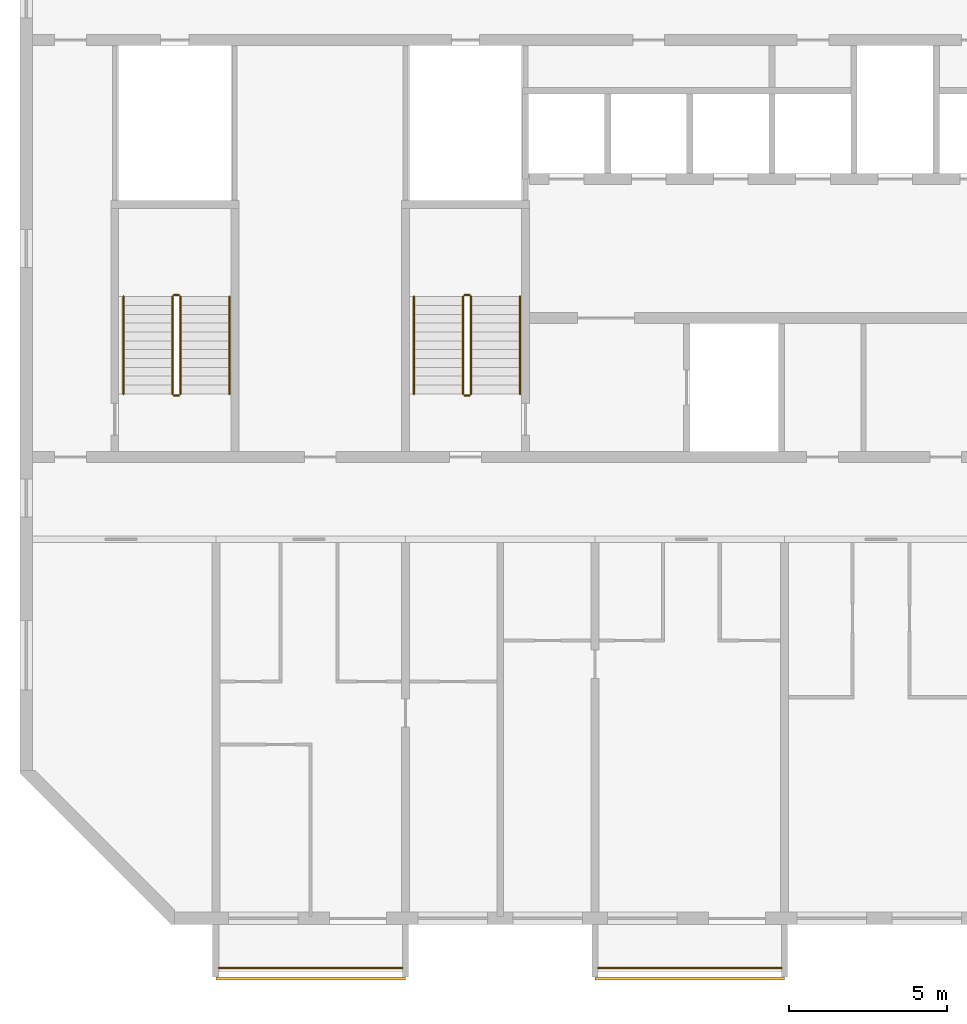
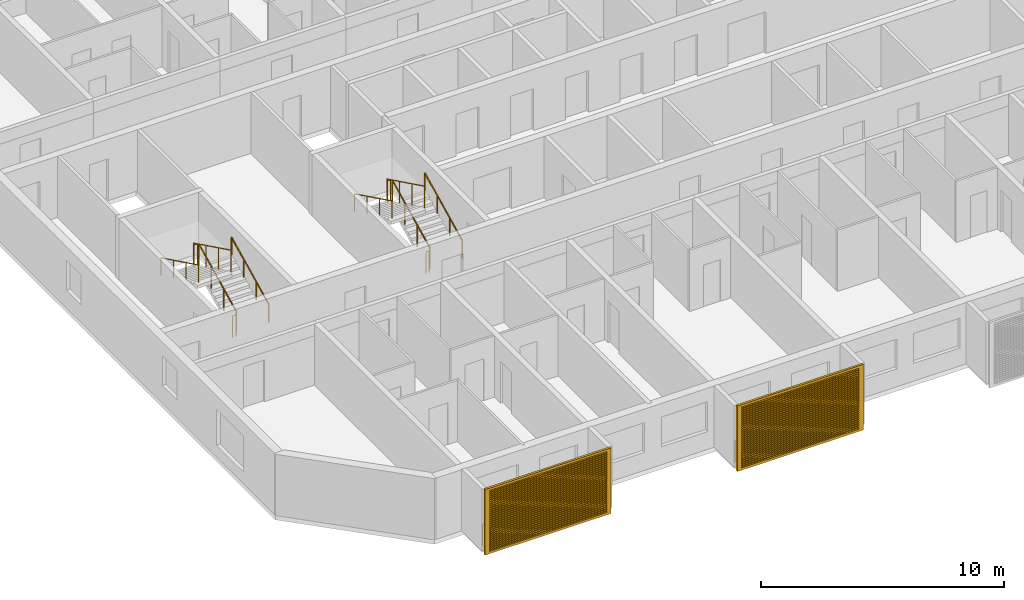
# One storey, part 13 of 27: 14 railings, 2 shading devices.
"""IFC4 building model written with IfcOpenShell, lengths in metres."""

from ifc_helpers import new_model, si_unit, direction, frame, origin, origin_2d, place, context, subcontext, project, spatial, polyline, circle, outline, extrude, source, transform, mapped, material, material_profile, profile_set, type_object, element, save


model = new_model("IFC4")

# Units and contexts
model_context = context("Model", 3, precision=1e-05, world=origin(), true_north=direction((0.0, 1.0)))
body_context = subcontext(model_context, "Body", "Model", "MODEL_VIEW")
ifc_project = project(units=[si_unit("LENGTHUNIT", "METRE"), si_unit("AREAUNIT", "SQUARE_METRE"), si_unit("VOLUMEUNIT", "CUBIC_METRE"), si_unit("PLANEANGLEUNIT", "RADIAN"), si_unit("MASSUNIT", "GRAM", prefix="KILO")], contexts=[model_context])

# Site, building, storey
site_placement = place(None, origin())
site = spatial("IfcSite", under=ifc_project, at=site_placement, CompositionType="ELEMENT")
building_placement = place(site_placement, origin())
building = spatial("IfcBuilding", under=site, at=building_placement, Name="Poui Terraces", CompositionType="ELEMENT")
storey_placement = place(building_placement, frame((0.0, 0.0, 251.10009765625)))
storey = spatial("IfcBuildingStorey", under=building, at=storey_placement, Name="L70", CompositionType="ELEMENT", Elevation=251.10009765625)

# Railings
ifc_material_1 = material(Name="Painted steel fretwork", Category="steel")
railing_type_1 = type_object("IfcRailingType", Name="BALCONY GUARD 1100", PredefinedType="GUARDRAIL", material=ifc_material_1)
for number, where, name in (
    (1, (24.10009765625, -1.570068359375, 0.0), "BALCONY GUARD"),
    (2, (36.10009765625, -1.570068359375, 0.0), "BALCONY GUARD"),
):
    element("IfcRailing", number, at=place(storey_placement, frame(where)), inside=storey, type_object=railing_type_1, Name=name, PredefinedType="GUARDRAIL", context=body_context, shape_type="SweptSolid", body=[
        extrude(circle(Radius=0.02392578125, at=origin_2d()), frame((0.0, 0.0, 1.076171875), z_axis=(1.0, 0.0, 0.0), x_axis=(0.0, 1.0, 0.0)), (0.0, 0.0, 1.0), 5.7998046875),
        extrude(circle(Radius=0.02099609375, at=origin_2d()), origin(), (0.0, 0.0, 1.0), 1.052001953125),
        extrude(circle(Radius=0.02099609375, at=origin_2d()), frame((0.966552734375, 0.0, 0.0)), (0.0, 0.0, 1.0), 1.052001953125),
        extrude(circle(Radius=0.02099609375, at=origin_2d()), frame((1.933349609375, 0.0, 0.0)), (0.0, 0.0, 1.0), 1.052001953125),
        extrude(circle(Radius=0.02099609375, at=origin_2d()), frame((2.89990234375, 0.0, 0.0)), (0.0, 0.0, 1.0), 1.052001953125),
        extrude(circle(Radius=0.02099609375, at=origin_2d()), frame((3.866455078125, 0.0, 0.0)), (0.0, 0.0, 1.0), 1.052001953125),
        extrude(circle(Radius=0.02099609375, at=origin_2d()), frame((4.833251953125, 0.0, 0.0)), (0.0, 0.0, 1.0), 1.052001953125),
        extrude(circle(Radius=0.02099609375, at=origin_2d()), frame((5.7998046875, 0.0, 0.0)), (0.0, 0.0, 1.0), 1.052001953125),
    ])
ifc_material_2 = material(Name="Galvanised steel balustrade", Category="steel")
railing_type_2 = type_object("IfcRailingType", Name="STAIR GUARD 1100", PredefinedType="GUARDRAIL", material=ifc_material_2)
railing_1_placement = place(storey_placement, frame((32.074951171875, 16.60009765625, 0.137451171875)))
element("IfcRailing", 3, at=railing_1_placement, inside=storey, type_object=railing_type_2, Name="L70 ST-CW stair guard 1", PredefinedType="GUARDRAIL", context=body_context, shape_type="SweptSolid", body=[
    extrude(circle(Radius=0.02392578125, at=origin_2d()), frame((0.0, 0.0, 1.076171875), z_axis=(0.0, 0.897606190399, 0.440798283751), x_axis=(-1.0, 0.0, 0.0)), (0.0, 0.0, 1.0), 3.43115234375),
    extrude(circle(Radius=0.02099609375, at=origin_2d()), origin(), (0.0, 0.0, 1.0), 1.052001953125),
    extrude(circle(Radius=0.02099609375, at=origin_2d()), frame((0.0, 1.026611328125, 0.504150390625)), (0.0, 0.0, 1.0), 1.052001953125),
    extrude(circle(Radius=0.02099609375, at=origin_2d()), frame((0.0, 2.05322265625, 1.00830078125)), (0.0, 0.0, 1.0), 1.052001953125),
    extrude(circle(Radius=0.02099609375, at=origin_2d()), frame((0.0, 3.079833984375, 1.512451171875)), (0.0, 0.0, 1.0), 1.052001953125),
])
railing_2_placement = place(storey_placement, frame((32.02490234375, 19.72998046875, 1.64990234375)))
element("IfcRailing", 4, at=railing_2_placement, inside=storey, type_object=railing_type_2, Name="L70 ST-CW stair guard 2", PredefinedType="GUARDRAIL", context=body_context, shape_type="SweptSolid", body=[
    extrude(circle(Radius=0.02392578125, at=origin_2d()), frame((0.0, 0.0, 1.076171875), z_axis=(-1.0, 0.0, 0.0), x_axis=(0.0, -1.0, 0.0)), (0.0, 0.0, 1.0), 0.14990234375),
    extrude(circle(Radius=0.02099609375, at=origin_2d()), origin(), (0.0, 0.0, 1.0), 1.052001953125),
    extrude(circle(Radius=0.02099609375, at=origin_2d()), frame((-0.14990234375, 0.0, 0.0)), (0.0, 0.0, 1.0), 1.052001953125),
])
railing_3_placement = place(storey_placement, frame((31.824951171875, 19.679931640625, 1.787353515625)))
element("IfcRailing", 5, at=railing_3_placement, inside=storey, type_object=railing_type_2, Name="L70 ST-CW stair guard 3", PredefinedType="GUARDRAIL", context=body_context, shape_type="SweptSolid", body=[
    extrude(circle(Radius=0.02392578125, at=origin_2d()), frame((0.0, 0.0, 1.076171875), z_axis=(0.0, -0.897606190399, 0.440798283751), x_axis=(1.0, 0.0, 0.0)), (0.0, 0.0, 1.0), 3.43115234375),
    extrude(circle(Radius=0.02099609375, at=origin_2d()), origin(), (0.0, 0.0, 1.0), 1.052001953125),
    extrude(circle(Radius=0.02099609375, at=origin_2d()), frame((0.0, -1.026611328125, 0.504150390625)), (0.0, 0.0, 1.0), 1.052001953125),
    extrude(circle(Radius=0.02099609375, at=origin_2d()), frame((0.0, -2.05322265625, 1.00830078125)), (0.0, 0.0, 1.0), 1.052001953125),
    extrude(circle(Radius=0.02099609375, at=origin_2d()), frame((0.0, -3.079833984375, 1.512451171875)), (0.0, 0.0, 1.0), 1.052001953125),
])
railing_4_placement = place(storey_placement, frame((32.02490234375, 16.550048828125, 0.0)))
element("IfcRailing", 6, at=railing_4_placement, inside=storey, type_object=railing_type_2, Name="L70 ST-CW stair guard 4", PredefinedType="GUARDRAIL", context=body_context, shape_type="SweptSolid", body=[
    extrude(circle(Radius=0.02392578125, at=origin_2d()), frame((0.0, 0.0, 1.076171875), z_axis=(-1.0, 0.0, 0.0), x_axis=(0.0, -1.0, 0.0)), (0.0, 0.0, 1.0), 0.14990234375),
    extrude(circle(Radius=0.02099609375, at=origin_2d()), origin(), (0.0, 0.0, 1.0), 1.052001953125),
    extrude(circle(Radius=0.02099609375, at=origin_2d()), frame((-0.14990234375, 0.0, 0.0)), (0.0, 0.0, 1.0), 1.052001953125),
])
railing_5_placement = place(storey_placement, frame((22.875, 16.60009765625, 0.137451171875)))
element("IfcRailing", 7, at=railing_5_placement, inside=storey, type_object=railing_type_2, Name="L70 ST-W stair guard 1", PredefinedType="GUARDRAIL", context=body_context, shape_type="SweptSolid", body=[
    extrude(circle(Radius=0.02392578125, at=origin_2d()), frame((0.0, 0.0, 1.076171875), z_axis=(0.0, 0.897606190399, 0.440798283751), x_axis=(-1.0, 0.0, 0.0)), (0.0, 0.0, 1.0), 3.43115234375),
    extrude(circle(Radius=0.02099609375, at=origin_2d()), origin(), (0.0, 0.0, 1.0), 1.052001953125),
    extrude(circle(Radius=0.02099609375, at=origin_2d()), frame((0.0, 1.026611328125, 0.504150390625)), (0.0, 0.0, 1.0), 1.052001953125),
    extrude(circle(Radius=0.02099609375, at=origin_2d()), frame((0.0, 2.05322265625, 1.00830078125)), (0.0, 0.0, 1.0), 1.052001953125),
    extrude(circle(Radius=0.02099609375, at=origin_2d()), frame((0.0, 3.079833984375, 1.512451171875)), (0.0, 0.0, 1.0), 1.052001953125),
])
railing_6_placement = place(storey_placement, frame((22.824951171875, 19.72998046875, 1.64990234375)))
element("IfcRailing", 8, at=railing_6_placement, inside=storey, type_object=railing_type_2, Name="L70 ST-W stair guard 2", PredefinedType="GUARDRAIL", context=body_context, shape_type="SweptSolid", body=[
    extrude(circle(Radius=0.02392578125, at=origin_2d()), frame((0.0, 0.0, 1.076171875), z_axis=(-1.0, 0.0, 0.0), x_axis=(0.0, -1.0, 0.0)), (0.0, 0.0, 1.0), 0.14990234375),
    extrude(circle(Radius=0.02099609375, at=origin_2d()), origin(), (0.0, 0.0, 1.0), 1.052001953125),
    extrude(circle(Radius=0.02099609375, at=origin_2d()), frame((-0.14990234375, 0.0, 0.0)), (0.0, 0.0, 1.0), 1.052001953125),
])
railing_7_placement = place(storey_placement, frame((22.625, 19.679931640625, 1.787353515625)))
element("IfcRailing", 9, at=railing_7_placement, inside=storey, type_object=railing_type_2, Name="L70 ST-W stair guard 3", PredefinedType="GUARDRAIL", context=body_context, shape_type="SweptSolid", body=[
    extrude(circle(Radius=0.02392578125, at=origin_2d()), frame((0.0, 0.0, 1.076171875), z_axis=(0.0, -0.897606190399, 0.440798283751), x_axis=(1.0, 0.0, 0.0)), (0.0, 0.0, 1.0), 3.43115234375),
    extrude(circle(Radius=0.02099609375, at=origin_2d()), origin(), (0.0, 0.0, 1.0), 1.052001953125),
    extrude(circle(Radius=0.02099609375, at=origin_2d()), frame((0.0, -1.026611328125, 0.504150390625)), (0.0, 0.0, 1.0), 1.052001953125),
    extrude(circle(Radius=0.02099609375, at=origin_2d()), frame((0.0, -2.05322265625, 1.00830078125)), (0.0, 0.0, 1.0), 1.052001953125),
    extrude(circle(Radius=0.02099609375, at=origin_2d()), frame((0.0, -3.079833984375, 1.512451171875)), (0.0, 0.0, 1.0), 1.052001953125),
])
railing_8_placement = place(storey_placement, frame((22.824951171875, 16.550048828125, 0.0)))
element("IfcRailing", 10, at=railing_8_placement, inside=storey, type_object=railing_type_2, Name="L70 ST-W stair guard 4", PredefinedType="GUARDRAIL", context=body_context, shape_type="SweptSolid", body=[
    extrude(circle(Radius=0.02392578125, at=origin_2d()), frame((0.0, 0.0, 1.076171875), z_axis=(-1.0, 0.0, 0.0), x_axis=(0.0, -1.0, 0.0)), (0.0, 0.0, 1.0), 0.14990234375),
    extrude(circle(Radius=0.02099609375, at=origin_2d()), origin(), (0.0, 0.0, 1.0), 1.052001953125),
    extrude(circle(Radius=0.02099609375, at=origin_2d()), frame((-0.14990234375, 0.0, 0.0)), (0.0, 0.0, 1.0), 1.052001953125),
])
ifc_material_3 = material(Name="Stainless steel handrail", Category="steel")
railing_type_3 = type_object("IfcRailingType", Name="STAIR HANDRAIL 900", PredefinedType="HANDRAIL", material=ifc_material_3)
railing_9_placement = place(storey_placement, frame((33.625, 16.60009765625, 0.137451171875)))
element("IfcRailing", 11, at=railing_9_placement, inside=storey, type_object=railing_type_3, Name="L70 ST-CW stair handrail 1", PredefinedType="HANDRAIL", context=body_context, shape_type="SweptSolid", body=[
    extrude(circle(Radius=0.02392578125, at=origin_2d()), frame((0.0, 0.0, 0.8759765625), z_axis=(0.0, 0.897606190399, 0.440798283751), x_axis=(-1.0, 0.0, 0.0)), (0.0, 0.0, 1.0), 3.43115234375),
    extrude(circle(Radius=0.02099609375, at=origin_2d()), origin(), (0.0, 0.0, 1.0), 0.851806640625),
    extrude(circle(Radius=0.02099609375, at=origin_2d()), frame((0.0, 1.026611328125, 0.504150390625)), (0.0, 0.0, 1.0), 0.851806640625),
    extrude(circle(Radius=0.02099609375, at=origin_2d()), frame((0.0, 2.05322265625, 1.00830078125)), (0.0, 0.0, 1.0), 0.851806640625),
    extrude(circle(Radius=0.02099609375, at=origin_2d()), frame((0.0, 3.079833984375, 1.512451171875)), (0.0, 0.0, 1.0), 0.851806640625),
])
railing_10_placement = place(storey_placement, frame((30.27490234375, 19.679931640625, 1.787353515625)))
element("IfcRailing", 12, at=railing_10_placement, inside=storey, type_object=railing_type_3, Name="L70 ST-CW stair handrail 2", PredefinedType="HANDRAIL", context=body_context, shape_type="SweptSolid", body=[
    extrude(circle(Radius=0.02392578125, at=origin_2d()), frame((0.0, 0.0, 0.8759765625), z_axis=(0.0, -0.897606190399, 0.440798283751), x_axis=(1.0, 0.0, 0.0)), (0.0, 0.0, 1.0), 3.43115234375),
    extrude(circle(Radius=0.02099609375, at=origin_2d()), origin(), (0.0, 0.0, 1.0), 0.851806640625),
    extrude(circle(Radius=0.02099609375, at=origin_2d()), frame((0.0, -1.026611328125, 0.504150390625)), (0.0, 0.0, 1.0), 0.851806640625),
    extrude(circle(Radius=0.02099609375, at=origin_2d()), frame((0.0, -2.05322265625, 1.00830078125)), (0.0, 0.0, 1.0), 0.851806640625),
    extrude(circle(Radius=0.02099609375, at=origin_2d()), frame((0.0, -3.079833984375, 1.512451171875)), (0.0, 0.0, 1.0), 0.851806640625),
])
railing_11_placement = place(storey_placement, frame((24.425048828125, 16.60009765625, 0.137451171875)))
element("IfcRailing", 13, at=railing_11_placement, inside=storey, type_object=railing_type_3, Name="L70 ST-W stair handrail 1", PredefinedType="HANDRAIL", context=body_context, shape_type="SweptSolid", body=[
    extrude(circle(Radius=0.02392578125, at=origin_2d()), frame((0.0, 0.0, 0.8759765625), z_axis=(0.0, 0.897606190399, 0.440798283751), x_axis=(-1.0, 0.0, 0.0)), (0.0, 0.0, 1.0), 3.43115234375),
    extrude(circle(Radius=0.02099609375, at=origin_2d()), origin(), (0.0, 0.0, 1.0), 0.851806640625),
    extrude(circle(Radius=0.02099609375, at=origin_2d()), frame((0.0, 1.026611328125, 0.504150390625)), (0.0, 0.0, 1.0), 0.851806640625),
    extrude(circle(Radius=0.02099609375, at=origin_2d()), frame((0.0, 2.05322265625, 1.00830078125)), (0.0, 0.0, 1.0), 0.851806640625),
    extrude(circle(Radius=0.02099609375, at=origin_2d()), frame((0.0, 3.079833984375, 1.512451171875)), (0.0, 0.0, 1.0), 0.851806640625),
])
railing_12_placement = place(storey_placement, frame((21.074951171875, 19.679931640625, 1.787353515625)))
element("IfcRailing", 14, at=railing_12_placement, inside=storey, type_object=railing_type_3, Name="L70 ST-W stair handrail 2", PredefinedType="HANDRAIL", context=body_context, shape_type="SweptSolid", body=[
    extrude(circle(Radius=0.02392578125, at=origin_2d()), frame((0.0, 0.0, 0.8759765625), z_axis=(0.0, -0.897606190399, 0.440798283751), x_axis=(1.0, 0.0, 0.0)), (0.0, 0.0, 1.0), 3.43115234375),
    extrude(circle(Radius=0.02099609375, at=origin_2d()), origin(), (0.0, 0.0, 1.0), 0.851806640625),
    extrude(circle(Radius=0.02099609375, at=origin_2d()), frame((0.0, -1.026611328125, 0.504150390625)), (0.0, 0.0, 1.0), 0.851806640625),
    extrude(circle(Radius=0.02099609375, at=origin_2d()), frame((0.0, -2.05322265625, 1.00830078125)), (0.0, 0.0, 1.0), 0.851806640625),
    extrude(circle(Radius=0.02099609375, at=origin_2d()), frame((0.0, -3.079833984375, 1.512451171875)), (0.0, 0.0, 1.0), 0.851806640625),
])

# Shading devices
ifc_material_4 = material(Name="Aluminium louvre", Category="aluminium")
ifc_material_profile = material_profile(ifc_material_4, outline(polyline([(-3.0, -1.64990234375), (3.0, -1.64990234375), (3.0, 1.64990234375), (-3.0, 1.64990234375), (-3.0, -1.64990234375)]), holes=[polyline([(-2.800048828125, -1.530029296875), (2.800048828125, -1.530029296875), (2.800048828125, -1.469970703125), (-2.800048828125, -1.469970703125), (-2.800048828125, -1.530029296875)]), polyline([(-2.800048828125, -1.429931640625), (2.800048828125, -1.429931640625), (2.800048828125, -1.3701171875), (-2.800048828125, -1.3701171875), (-2.800048828125, -1.429931640625)]), polyline([(-2.800048828125, -1.330078125), (2.800048828125, -1.330078125), (2.800048828125, -1.27001953125), (-2.800048828125, -1.27001953125), (-2.800048828125, -1.330078125)]), polyline([(-2.800048828125, -1.22998046875), (2.800048828125, -1.22998046875), (2.800048828125, -1.169921875), (-2.800048828125, -1.169921875), (-2.800048828125, -1.22998046875)]), polyline([(-2.800048828125, -1.1298828125), (2.800048828125, -1.1298828125), (2.800048828125, -1.070068359375), (-2.800048828125, -1.070068359375), (-2.800048828125, -1.1298828125)]), polyline([(-2.800048828125, -1.030029296875), (2.800048828125, -1.030029296875), (2.800048828125, -0.969970703125), (-2.800048828125, -0.969970703125), (-2.800048828125, -1.030029296875)]), polyline([(-2.800048828125, -0.929931640625), (2.800048828125, -0.929931640625), (2.800048828125, -0.8701171875), (-2.800048828125, -0.8701171875), (-2.800048828125, -0.929931640625)]), polyline([(-2.800048828125, -0.830078125), (2.800048828125, -0.830078125), (2.800048828125, -0.77001953125), (-2.800048828125, -0.77001953125), (-2.800048828125, -0.830078125)]), polyline([(-2.800048828125, -0.72998046875), (2.800048828125, -0.72998046875), (2.800048828125, -0.669921875), (-2.800048828125, -0.669921875), (-2.800048828125, -0.72998046875)]), polyline([(-2.800048828125, -0.6298828125), (2.800048828125, -0.6298828125), (2.800048828125, -0.570068359375), (-2.800048828125, -0.570068359375), (-2.800048828125, -0.6298828125)]), polyline([(-2.800048828125, -0.530029296875), (2.800048828125, -0.530029296875), (2.800048828125, -0.469970703125), (-2.800048828125, -0.469970703125), (-2.800048828125, -0.530029296875)]), polyline([(-2.800048828125, -0.429931640625), (2.800048828125, -0.429931640625), (2.800048828125, -0.3701171875), (-2.800048828125, -0.3701171875), (-2.800048828125, -0.429931640625)]), polyline([(-2.800048828125, -0.330078125), (2.800048828125, -0.330078125), (2.800048828125, -0.27001953125), (-2.800048828125, -0.27001953125), (-2.800048828125, -0.330078125)]), polyline([(-2.800048828125, -0.22998046875), (2.800048828125, -0.22998046875), (2.800048828125, -0.169921875), (-2.800048828125, -0.169921875), (-2.800048828125, -0.22998046875)]), polyline([(-2.800048828125, -0.1298828125), (2.800048828125, -0.1298828125), (2.800048828125, -0.070068359375), (-2.800048828125, -0.070068359375), (-2.800048828125, -0.1298828125)]), polyline([(-2.800048828125, -0.030029296875), (2.800048828125, -0.030029296875), (2.800048828125, 0.030029296875), (-2.800048828125, 0.030029296875), (-2.800048828125, -0.030029296875)]), polyline([(-2.800048828125, 0.070068359375), (2.800048828125, 0.070068359375), (2.800048828125, 0.1298828125), (-2.800048828125, 0.1298828125), (-2.800048828125, 0.070068359375)]), polyline([(-2.800048828125, 0.169921875), (2.800048828125, 0.169921875), (2.800048828125, 0.22998046875), (-2.800048828125, 0.22998046875), (-2.800048828125, 0.169921875)]), polyline([(-2.800048828125, 0.27001953125), (2.800048828125, 0.27001953125), (2.800048828125, 0.330078125), (-2.800048828125, 0.330078125), (-2.800048828125, 0.27001953125)]), polyline([(-2.800048828125, 0.3701171875), (2.800048828125, 0.3701171875), (2.800048828125, 0.429931640625), (-2.800048828125, 0.429931640625), (-2.800048828125, 0.3701171875)]), polyline([(-2.800048828125, 0.469970703125), (2.800048828125, 0.469970703125), (2.800048828125, 0.530029296875), (-2.800048828125, 0.530029296875), (-2.800048828125, 0.469970703125)]), polyline([(-2.800048828125, 0.570068359375), (2.800048828125, 0.570068359375), (2.800048828125, 0.6298828125), (-2.800048828125, 0.6298828125), (-2.800048828125, 0.570068359375)]), polyline([(-2.800048828125, 0.669921875), (2.800048828125, 0.669921875), (2.800048828125, 0.72998046875), (-2.800048828125, 0.72998046875), (-2.800048828125, 0.669921875)]), polyline([(-2.800048828125, 0.77001953125), (2.800048828125, 0.77001953125), (2.800048828125, 0.830078125), (-2.800048828125, 0.830078125), (-2.800048828125, 0.77001953125)]), polyline([(-2.800048828125, 0.8701171875), (2.800048828125, 0.8701171875), (2.800048828125, 0.929931640625), (-2.800048828125, 0.929931640625), (-2.800048828125, 0.8701171875)]), polyline([(-2.800048828125, 0.969970703125), (2.800048828125, 0.969970703125), (2.800048828125, 1.030029296875), (-2.800048828125, 1.030029296875), (-2.800048828125, 0.969970703125)]), polyline([(-2.800048828125, 1.070068359375), (2.800048828125, 1.070068359375), (2.800048828125, 1.1298828125), (-2.800048828125, 1.1298828125), (-2.800048828125, 1.070068359375)]), polyline([(-2.800048828125, 1.169921875), (2.800048828125, 1.169921875), (2.800048828125, 1.22998046875), (-2.800048828125, 1.22998046875), (-2.800048828125, 1.169921875)]), polyline([(-2.800048828125, 1.27001953125), (2.800048828125, 1.27001953125), (2.800048828125, 1.330078125), (-2.800048828125, 1.330078125), (-2.800048828125, 1.27001953125)]), polyline([(-2.800048828125, 1.3701171875), (2.800048828125, 1.3701171875), (2.800048828125, 1.429931640625), (-2.800048828125, 1.429931640625), (-2.800048828125, 1.3701171875)]), polyline([(-2.800048828125, 1.469970703125), (2.800048828125, 1.469970703125), (2.800048828125, 1.530029296875), (-2.800048828125, 1.530029296875), (-2.800048828125, 1.469970703125)])]), Name="JALOUSIE LOUVRE SHUTTER 6000X3300")
ifc_profile_set = profile_set([ifc_material_profile], Name="Aluminium louvre")
shading_device_type = type_object("IfcShadingDeviceType", Name="JALOUSIE LOUVRE SHUTTER 6000X3300", PredefinedType="JALOUSIE", material=ifc_profile_set)
shared_shape = source(origin(), body_context, "Body", "SweptSolid", [
    extrude(outline(polyline([(-3.0, -1.64990234375), (3.0, -1.64990234375), (3.0, 1.64990234375), (-3.0, 1.64990234375), (-3.0, -1.64990234375)]), holes=[polyline([(-2.800048828125, -1.530029296875), (2.800048828125, -1.530029296875), (2.800048828125, -1.469970703125), (-2.800048828125, -1.469970703125), (-2.800048828125, -1.530029296875)]), polyline([(-2.800048828125, -1.429931640625), (2.800048828125, -1.429931640625), (2.800048828125, -1.3701171875), (-2.800048828125, -1.3701171875), (-2.800048828125, -1.429931640625)]), polyline([(-2.800048828125, -1.330078125), (2.800048828125, -1.330078125), (2.800048828125, -1.27001953125), (-2.800048828125, -1.27001953125), (-2.800048828125, -1.330078125)]), polyline([(-2.800048828125, -1.22998046875), (2.800048828125, -1.22998046875), (2.800048828125, -1.169921875), (-2.800048828125, -1.169921875), (-2.800048828125, -1.22998046875)]), polyline([(-2.800048828125, -1.1298828125), (2.800048828125, -1.1298828125), (2.800048828125, -1.070068359375), (-2.800048828125, -1.070068359375), (-2.800048828125, -1.1298828125)]), polyline([(-2.800048828125, -1.030029296875), (2.800048828125, -1.030029296875), (2.800048828125, -0.969970703125), (-2.800048828125, -0.969970703125), (-2.800048828125, -1.030029296875)]), polyline([(-2.800048828125, -0.929931640625), (2.800048828125, -0.929931640625), (2.800048828125, -0.8701171875), (-2.800048828125, -0.8701171875), (-2.800048828125, -0.929931640625)]), polyline([(-2.800048828125, -0.830078125), (2.800048828125, -0.830078125), (2.800048828125, -0.77001953125), (-2.800048828125, -0.77001953125), (-2.800048828125, -0.830078125)]), polyline([(-2.800048828125, -0.72998046875), (2.800048828125, -0.72998046875), (2.800048828125, -0.669921875), (-2.800048828125, -0.669921875), (-2.800048828125, -0.72998046875)]), polyline([(-2.800048828125, -0.6298828125), (2.800048828125, -0.6298828125), (2.800048828125, -0.570068359375), (-2.800048828125, -0.570068359375), (-2.800048828125, -0.6298828125)]), polyline([(-2.800048828125, -0.530029296875), (2.800048828125, -0.530029296875), (2.800048828125, -0.469970703125), (-2.800048828125, -0.469970703125), (-2.800048828125, -0.530029296875)]), polyline([(-2.800048828125, -0.429931640625), (2.800048828125, -0.429931640625), (2.800048828125, -0.3701171875), (-2.800048828125, -0.3701171875), (-2.800048828125, -0.429931640625)]), polyline([(-2.800048828125, -0.330078125), (2.800048828125, -0.330078125), (2.800048828125, -0.27001953125), (-2.800048828125, -0.27001953125), (-2.800048828125, -0.330078125)]), polyline([(-2.800048828125, -0.22998046875), (2.800048828125, -0.22998046875), (2.800048828125, -0.169921875), (-2.800048828125, -0.169921875), (-2.800048828125, -0.22998046875)]), polyline([(-2.800048828125, -0.1298828125), (2.800048828125, -0.1298828125), (2.800048828125, -0.070068359375), (-2.800048828125, -0.070068359375), (-2.800048828125, -0.1298828125)]), polyline([(-2.800048828125, -0.030029296875), (2.800048828125, -0.030029296875), (2.800048828125, 0.030029296875), (-2.800048828125, 0.030029296875), (-2.800048828125, -0.030029296875)]), polyline([(-2.800048828125, 0.070068359375), (2.800048828125, 0.070068359375), (2.800048828125, 0.1298828125), (-2.800048828125, 0.1298828125), (-2.800048828125, 0.070068359375)]), polyline([(-2.800048828125, 0.169921875), (2.800048828125, 0.169921875), (2.800048828125, 0.22998046875), (-2.800048828125, 0.22998046875), (-2.800048828125, 0.169921875)]), polyline([(-2.800048828125, 0.27001953125), (2.800048828125, 0.27001953125), (2.800048828125, 0.330078125), (-2.800048828125, 0.330078125), (-2.800048828125, 0.27001953125)]), polyline([(-2.800048828125, 0.3701171875), (2.800048828125, 0.3701171875), (2.800048828125, 0.429931640625), (-2.800048828125, 0.429931640625), (-2.800048828125, 0.3701171875)]), polyline([(-2.800048828125, 0.469970703125), (2.800048828125, 0.469970703125), (2.800048828125, 0.530029296875), (-2.800048828125, 0.530029296875), (-2.800048828125, 0.469970703125)]), polyline([(-2.800048828125, 0.570068359375), (2.800048828125, 0.570068359375), (2.800048828125, 0.6298828125), (-2.800048828125, 0.6298828125), (-2.800048828125, 0.570068359375)]), polyline([(-2.800048828125, 0.669921875), (2.800048828125, 0.669921875), (2.800048828125, 0.72998046875), (-2.800048828125, 0.72998046875), (-2.800048828125, 0.669921875)]), polyline([(-2.800048828125, 0.77001953125), (2.800048828125, 0.77001953125), (2.800048828125, 0.830078125), (-2.800048828125, 0.830078125), (-2.800048828125, 0.77001953125)]), polyline([(-2.800048828125, 0.8701171875), (2.800048828125, 0.8701171875), (2.800048828125, 0.929931640625), (-2.800048828125, 0.929931640625), (-2.800048828125, 0.8701171875)]), polyline([(-2.800048828125, 0.969970703125), (2.800048828125, 0.969970703125), (2.800048828125, 1.030029296875), (-2.800048828125, 1.030029296875), (-2.800048828125, 0.969970703125)]), polyline([(-2.800048828125, 1.070068359375), (2.800048828125, 1.070068359375), (2.800048828125, 1.1298828125), (-2.800048828125, 1.1298828125), (-2.800048828125, 1.070068359375)]), polyline([(-2.800048828125, 1.169921875), (2.800048828125, 1.169921875), (2.800048828125, 1.22998046875), (-2.800048828125, 1.22998046875), (-2.800048828125, 1.169921875)]), polyline([(-2.800048828125, 1.27001953125), (2.800048828125, 1.27001953125), (2.800048828125, 1.330078125), (-2.800048828125, 1.330078125), (-2.800048828125, 1.27001953125)]), polyline([(-2.800048828125, 1.3701171875), (2.800048828125, 1.3701171875), (2.800048828125, 1.429931640625), (-2.800048828125, 1.429931640625), (-2.800048828125, 1.3701171875)]), polyline([(-2.800048828125, 1.469970703125), (2.800048828125, 1.469970703125), (2.800048828125, 1.530029296875), (-2.800048828125, 1.530029296875), (-2.800048828125, 1.469970703125)])]), origin(), (0.0, 0.0, 1.0), 0.099853515625),
])
for number, where, z_axis, x_axis, name in (
    (15, (27.0, -1.85009765625, 1.449951171875), (0.0, -1.0, 0.0), (1.0, 0.0, 0.0), "JALOUSIE LOUVRE SHUTTER"),
    (16, (39.0, -1.85009765625, 1.449951171875), (0.0, -1.0, 0.0), (1.0, 0.0, 0.0), "JALOUSIE LOUVRE SHUTTER"),
):
    element("IfcShadingDevice", number, at=place(storey_placement, frame(where, z_axis=z_axis, x_axis=x_axis)), inside=storey, type_object=shading_device_type, Name=name, PredefinedType="JALOUSIE", context=body_context, shape_type="MappedRepresentation", body=[
        mapped(shared_shape, transform((0.0, 0.0, 0.0))),
    ])

save(model, "model.ifc")
